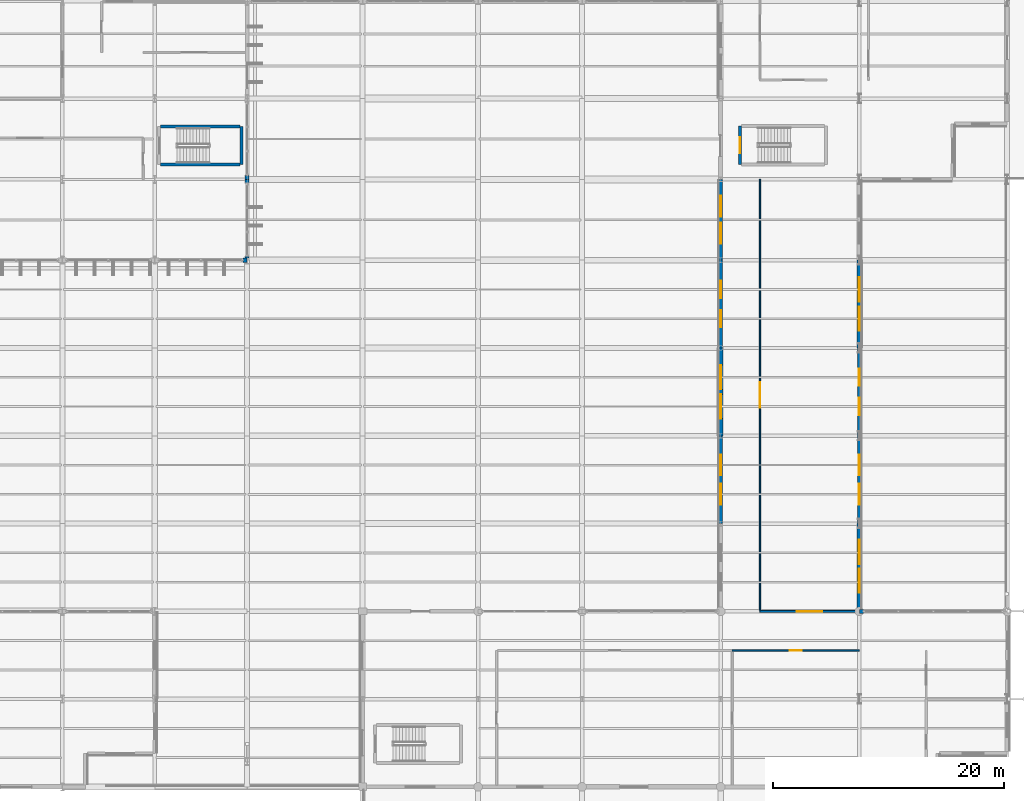
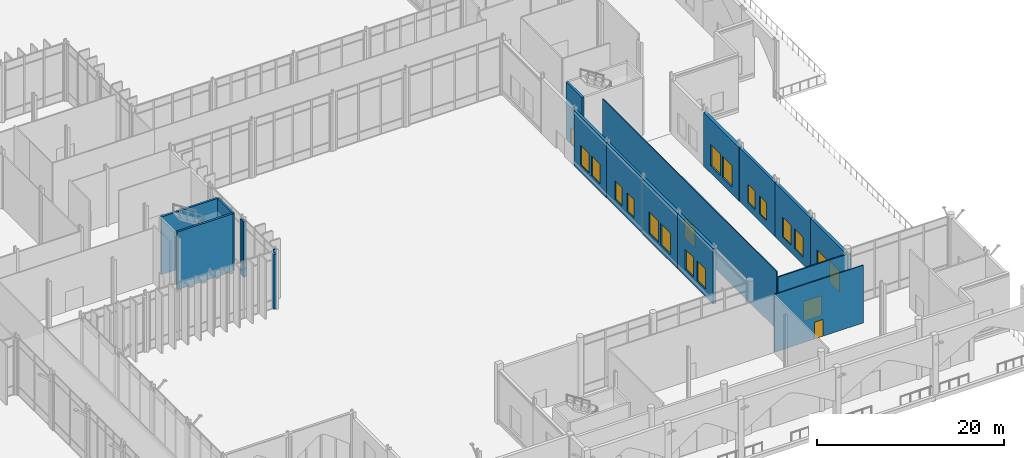
# One storey, part 143 of 176: 20 walls, 16 windows, 4 doors, 20 openings.
"""IFC4 building model written with IfcOpenShell, lengths in metres."""

from ifc_helpers import new_model, si_unit, direction, frame, frame_2d, origin, place, context, subcontext, project, spatial, rectangle, extrude, material, layer, layer_set, type_object, element, fill, save


model = new_model("IFC4")

# Units and contexts
model_context = context("Model", 3, precision=1e-05, world=origin(), true_north=direction((0.0, 1.0)))
body_context = subcontext(model_context, "Body", "Model", "MODEL_VIEW")
ifc_project = project(units=[si_unit("LENGTHUNIT", "METRE"), si_unit("AREAUNIT", "SQUARE_METRE"), si_unit("VOLUMEUNIT", "CUBIC_METRE"), si_unit("PLANEANGLEUNIT", "RADIAN"), si_unit("MASSUNIT", "GRAM", prefix="KILO")], contexts=[model_context])

# Site, building, storey
site_placement = place(None, origin())
site = spatial("IfcSite", under=ifc_project, at=site_placement, CompositionType="ELEMENT")
building_placement = place(site_placement, origin())
building = spatial("IfcBuilding", under=site, at=building_placement, Name="Vekula Escarpment Museum", CompositionType="ELEMENT")
storey_placement = place(building_placement, origin())
storey = spatial("IfcBuildingStorey", under=building, at=storey_placement, Name="L01", CompositionType="ELEMENT", Elevation=0.0)

# Wall, openings, windows
ifc_material_1 = material(Name="Inkisi arkosic sandstone masonry", Category="masonry")
ifc_layer_1 = layer(ifc_material_1, 0.300048828125)
ifc_layer_set_1 = layer_set([ifc_layer_1], Name="Inkisi arkosic sandstone masonry")
wall_type_1 = type_object("IfcWallType", Name="WL-ALM-300", PredefinedType="SOLIDWALL", material=ifc_layer_set_1)
wall_1_placement = place(storey_placement, frame((167.0, 38.0, 0.0), z_axis=(0.0, 0.0, 1.0), x_axis=(0.0, 1.0, 0.0)))
wall_1 = element("IfcWall", 1, at=wall_1_placement, inside=storey, type_object=wall_type_1, Name="Exterior Wall WL-EXT-L01-0095", PredefinedType="SOLIDWALL", context=body_context, shape_type="SweptSolid", body=[
    extrude(rectangle(XDim=7.60009765625, YDim=0.300048828125, at=frame_2d((3.800048828125, 0.0))), origin(), (0.0, 0.0, 1.0), 7.235107421875),
])
opening_1_placement = place(wall_1_placement, frame((1.783203125, 0.0, 0.949951171875)))
opening_1 = element("IfcOpeningElement", 2, at=opening_1_placement, cuts=wall_1, Name="Opening WN-06", PredefinedType="OPENING", context=body_context, shape_type="SweptSolid", body=[
    extrude(rectangle(XDim=1.5, YDim=2.39990234375, at=frame_2d((0.75, 1.199951171875))), frame((0.0, 0.159912109375, 0.0), z_axis=(0.0, -1.0, 0.0), x_axis=(1.0, 0.0, 0.0)), (0.0, 0.0, 1.0), 0.320068359375),
])
opening_2_placement = place(wall_1_placement, frame((4.316650390625, 0.0, 0.949951171875)))
opening_2 = element("IfcOpeningElement", 3, at=opening_2_placement, cuts=wall_1, Name="Opening WN-06", PredefinedType="OPENING", context=body_context, shape_type="SweptSolid", body=[
    extrude(rectangle(XDim=1.5, YDim=2.39990234375, at=frame_2d((0.75, 1.199951171875))), frame((0.0, 0.159912109375, 0.0), z_axis=(0.0, -1.0, 0.0), x_axis=(1.0, 0.0, 0.0)), (0.0, 0.0, 1.0), 0.320068359375),
])
ifc_material_2 = material(Name="Double solar-control low-E glass", Category="glass")
window_type_1 = type_object("IfcWindowType", Name="WN-CUMBA-15x24", PartitioningType="SINGLE_PANEL", PredefinedType="WINDOW", material=ifc_material_2)
window_1_placement = place(opening_1_placement, origin())
window_1 = element("IfcWindow", 4, at=window_1_placement, inside=storey, type_object=window_type_1, Name="Window L01-0007", OverallHeight=2.39990234375, OverallWidth=1.5, PartitioningType="SINGLE_PANEL", PredefinedType="WINDOW", context=body_context, shape_type="SweptSolid", body=[
    extrude(rectangle(XDim=1.5, YDim=2.39990234375, at=frame_2d((0.75, 1.199951171875))), frame((0.0, 0.030029296875, 0.0), z_axis=(0.0, -1.0, 0.0), x_axis=(1.0, 0.0, 0.0)), (0.0, 0.0, 1.0), 0.06005859375),
])
fill(opening_1, window_1)
window_2_placement = place(opening_2_placement, origin())
window_2 = element("IfcWindow", 5, at=window_2_placement, inside=storey, type_object=window_type_1, Name="Window L01-0008", OverallHeight=2.39990234375, OverallWidth=1.5, PartitioningType="SINGLE_PANEL", PredefinedType="WINDOW", context=body_context, shape_type="SweptSolid", body=[
    extrude(rectangle(XDim=1.5, YDim=2.39990234375, at=frame_2d((0.75, 1.199951171875))), frame((0.0, 0.030029296875, 0.0), z_axis=(0.0, -1.0, 0.0), x_axis=(1.0, 0.0, 0.0)), (0.0, 0.0, 1.0), 0.06005859375),
])
fill(opening_2, window_2)

wall_2_placement = place(storey_placement, frame((179.0, 38.0, 0.0), z_axis=(0.0, 0.0, 1.0), x_axis=(0.0, -1.0, 0.0)))
wall_2 = element("IfcWall", 6, at=wall_2_placement, inside=storey, type_object=wall_type_1, Name="Exterior Wall WL-EXT-L01-0119", PredefinedType="SOLIDWALL", context=body_context, shape_type="SweptSolid", body=[
    extrude(rectangle(XDim=7.60009765625, YDim=0.300048828125, at=frame_2d((3.800048828125, 0.0))), origin(), (0.0, 0.0, 1.0), 7.02490234375),
])
opening_3_placement = place(wall_2_placement, frame((1.783203125, 0.0, 0.949951171875)))
opening_3 = element("IfcOpeningElement", 7, at=opening_3_placement, cuts=wall_2, Name="Opening WN-06", PredefinedType="OPENING", context=body_context, shape_type="SweptSolid", body=[
    extrude(rectangle(XDim=1.5, YDim=2.39990234375, at=frame_2d((0.75, 1.199951171875))), frame((0.0, 0.159912109375, 0.0), z_axis=(0.0, -1.0, 0.0), x_axis=(1.0, 0.0, 0.0)), (0.0, 0.0, 1.0), 0.320068359375),
])
opening_4_placement = place(wall_2_placement, frame((4.316650390625, 0.0, 0.949951171875)))
opening_4 = element("IfcOpeningElement", 8, at=opening_4_placement, cuts=wall_2, Name="Opening WN-06", PredefinedType="OPENING", context=body_context, shape_type="SweptSolid", body=[
    extrude(rectangle(XDim=1.5, YDim=2.39990234375, at=frame_2d((0.75, 1.199951171875))), frame((0.0, 0.159912109375, 0.0), z_axis=(0.0, -1.0, 0.0), x_axis=(1.0, 0.0, 0.0)), (0.0, 0.0, 1.0), 0.320068359375),
])
window_3_placement = place(opening_3_placement, origin())
window_3 = element("IfcWindow", 9, at=window_3_placement, inside=storey, type_object=window_type_1, Name="Window L01-0025", OverallHeight=2.39990234375, OverallWidth=1.5, PartitioningType="SINGLE_PANEL", PredefinedType="WINDOW", context=body_context, shape_type="SweptSolid", body=[
    extrude(rectangle(XDim=1.5, YDim=2.39990234375, at=frame_2d((0.75, 1.199951171875))), frame((0.0, 0.030029296875, 0.0), z_axis=(0.0, -1.0, 0.0), x_axis=(1.0, 0.0, 0.0)), (0.0, 0.0, 1.0), 0.06005859375),
])
fill(opening_3, window_3)
window_4_placement = place(opening_4_placement, origin())
window_4 = element("IfcWindow", 10, at=window_4_placement, inside=storey, type_object=window_type_1, Name="Window L01-0026", OverallHeight=2.39990234375, OverallWidth=1.5, PartitioningType="SINGLE_PANEL", PredefinedType="WINDOW", context=body_context, shape_type="SweptSolid", body=[
    extrude(rectangle(XDim=1.5, YDim=2.39990234375, at=frame_2d((0.75, 1.199951171875))), frame((0.0, 0.030029296875, 0.0), z_axis=(0.0, -1.0, 0.0), x_axis=(1.0, 0.0, 0.0)), (0.0, 0.0, 1.0), 0.06005859375),
])
fill(opening_4, window_4)

ifc_material_3 = material(Name="Inkisi arkosic sandstone masonry", Category="masonry")
ifc_layer_2 = layer(ifc_material_3, 0.320068359375)
ifc_layer_set_2 = layer_set([ifc_layer_2], Name="Inkisi arkosic sandstone masonry")
wall_type_2 = type_object("IfcWallType", Name="WL-ALM-320", PredefinedType="SOLIDWALL", material=ifc_layer_set_2)
wall_3_placement = place(storey_placement, frame((167.0, 45.60009765625, 0.0), z_axis=(0.0, 0.0, 1.0), x_axis=(0.0, 1.0, 0.0)))
wall_3 = element("IfcWall", 11, at=wall_3_placement, inside=storey, type_object=wall_type_2, Name="Exterior Wall WL-EXT-L01-0094", PredefinedType="SOLIDWALL", context=body_context, shape_type="SweptSolid", body=[
    extrude(rectangle(XDim=7.0, YDim=0.320068359375, at=frame_2d((3.5, 0.0))), origin(), (0.0, 0.0, 1.0), 7.235107421875),
])
opening_5_placement = place(wall_3_placement, frame((1.433349609375, 0.0, 0.949951171875)))
opening_5 = element("IfcOpeningElement", 12, at=opening_5_placement, cuts=wall_3, Name="Opening WN-07", PredefinedType="OPENING", context=body_context, shape_type="SweptSolid", body=[
    extrude(rectangle(XDim=1.800048828125, YDim=2.60009765625, at=frame_2d((0.89990234375, 1.300048828125))), frame((0.0, 0.169921875, 0.0), z_axis=(0.0, -1.0, 0.0), x_axis=(1.0, 0.0, 0.0)), (0.0, 0.0, 1.0), 0.340087890625),
])
opening_6_placement = place(wall_3_placement, frame((3.7666015625, 0.0, 0.949951171875)))
opening_6 = element("IfcOpeningElement", 13, at=opening_6_placement, cuts=wall_3, Name="Opening WN-07", PredefinedType="OPENING", context=body_context, shape_type="SweptSolid", body=[
    extrude(rectangle(XDim=1.800048828125, YDim=2.60009765625, at=frame_2d((0.89990234375, 1.300048828125))), frame((0.0, 0.169921875, 0.0), z_axis=(0.0, -1.0, 0.0), x_axis=(1.0, 0.0, 0.0)), (0.0, 0.0, 1.0), 0.340087890625),
])
ifc_material_4 = material(Name="Double solar-control low-E glass", Category="glass")
window_type_2 = type_object("IfcWindowType", Name="WN-CUMBA-18x26", PartitioningType="DOUBLE_PANEL_VERTICAL", PredefinedType="WINDOW", material=ifc_material_4)
window_5_placement = place(opening_5_placement, origin())
window_5 = element("IfcWindow", 14, at=window_5_placement, inside=storey, type_object=window_type_2, Name="Window L01-0005", OverallHeight=2.60009765625, OverallWidth=1.800048828125, PartitioningType="SINGLE_PANEL", PredefinedType="WINDOW", context=body_context, shape_type="SweptSolid", body=[
    extrude(rectangle(XDim=1.800048828125, YDim=2.60009765625, at=frame_2d((0.89990234375, 1.300048828125))), frame((0.0, 0.030029296875, 0.0), z_axis=(0.0, -1.0, 0.0), x_axis=(1.0, 0.0, 0.0)), (0.0, 0.0, 1.0), 0.06005859375),
])
fill(opening_5, window_5)
window_6_placement = place(opening_6_placement, origin())
window_6 = element("IfcWindow", 15, at=window_6_placement, inside=storey, type_object=window_type_2, Name="Window L01-0006", OverallHeight=2.60009765625, OverallWidth=1.800048828125, PartitioningType="SINGLE_PANEL", PredefinedType="WINDOW", context=body_context, shape_type="SweptSolid", body=[
    extrude(rectangle(XDim=1.800048828125, YDim=2.60009765625, at=frame_2d((0.89990234375, 1.300048828125))), frame((0.0, 0.030029296875, 0.0), z_axis=(0.0, -1.0, 0.0), x_axis=(1.0, 0.0, 0.0)), (0.0, 0.0, 1.0), 0.06005859375),
])
fill(opening_6, window_6)

wall_4_placement = place(storey_placement, frame((179.0, 30.39990234375, 0.0), z_axis=(0.0, 0.0, 1.0), x_axis=(0.0, -1.0, 0.0)))
wall_4 = element("IfcWall", 16, at=wall_4_placement, inside=storey, type_object=wall_type_2, Name="Exterior Wall WL-EXT-L01-0118", PredefinedType="SOLIDWALL", context=body_context, shape_type="SweptSolid", body=[
    extrude(rectangle(XDim=7.599853515625, YDim=0.320068359375, at=frame_2d((3.7998046875, 0.0))), origin(), (0.0, 0.0, 1.0), 7.02490234375),
])
opening_7_placement = place(wall_4_placement, frame((1.63330078125, 0.0, 0.949951171875)))
opening_7 = element("IfcOpeningElement", 17, at=opening_7_placement, cuts=wall_4, Name="Opening WN-07", PredefinedType="OPENING", context=body_context, shape_type="SweptSolid", body=[
    extrude(rectangle(XDim=1.800048828125, YDim=2.60009765625, at=frame_2d((0.89990234375, 1.300048828125))), frame((0.0, 0.169921875, 0.0), z_axis=(0.0, -1.0, 0.0), x_axis=(1.0, 0.0, 0.0)), (0.0, 0.0, 1.0), 0.340087890625),
])
opening_8_placement = place(wall_4_placement, frame((4.166748046875, 0.0, 0.949951171875)))
opening_8 = element("IfcOpeningElement", 18, at=opening_8_placement, cuts=wall_4, Name="Opening WN-07", PredefinedType="OPENING", context=body_context, shape_type="SweptSolid", body=[
    extrude(rectangle(XDim=1.800048828125, YDim=2.60009765625, at=frame_2d((0.89990234375, 1.300048828125))), frame((0.0, 0.169921875, 0.0), z_axis=(0.0, -1.0, 0.0), x_axis=(1.0, 0.0, 0.0)), (0.0, 0.0, 1.0), 0.340087890625),
])
window_7_placement = place(opening_7_placement, origin())
window_7 = element("IfcWindow", 19, at=window_7_placement, inside=storey, type_object=window_type_2, Name="Window L01-0023", OverallHeight=2.60009765625, OverallWidth=1.800048828125, PartitioningType="SINGLE_PANEL", PredefinedType="WINDOW", context=body_context, shape_type="SweptSolid", body=[
    extrude(rectangle(XDim=1.800048828125, YDim=2.60009765625, at=frame_2d((0.89990234375, 1.300048828125))), frame((0.0, 0.030029296875, 0.0), z_axis=(0.0, -1.0, 0.0), x_axis=(1.0, 0.0, 0.0)), (0.0, 0.0, 1.0), 0.06005859375),
])
fill(opening_7, window_7)
window_8_placement = place(opening_8_placement, origin())
window_8 = element("IfcWindow", 20, at=window_8_placement, inside=storey, type_object=window_type_2, Name="Window L01-0024", OverallHeight=2.60009765625, OverallWidth=1.800048828125, PartitioningType="SINGLE_PANEL", PredefinedType="WINDOW", context=body_context, shape_type="SweptSolid", body=[
    extrude(rectangle(XDim=1.800048828125, YDim=2.60009765625, at=frame_2d((0.89990234375, 1.300048828125))), frame((0.0, 0.030029296875, 0.0), z_axis=(0.0, -1.0, 0.0), x_axis=(1.0, 0.0, 0.0)), (0.0, 0.0, 1.0), 0.06005859375),
])
fill(opening_8, window_8)

# Walls
ifc_material_5 = material(Name="Inkisi arkosic sandstone masonry", Category="masonry")
ifc_layer_3 = layer(ifc_material_5, 0.35009765625)
ifc_layer_set_3 = layer_set([ifc_layer_3], Name="Inkisi arkosic sandstone masonry")
wall_type_3 = type_object("IfcWallType", Name="WL-ALM-350", PredefinedType="SOLIDWALL", material=ifc_layer_set_3)
wall_5_placement = place(storey_placement, frame((125.639892578125, 45.60009765625, 0.0), z_axis=(0.0, 0.0, 1.0), x_axis=(1.0, 0.0, 0.0)))
element("IfcWall", 21, at=wall_5_placement, inside=storey, type_object=wall_type_3, Name="Facade Jamb Pier L01-0078B", PredefinedType="SOLIDWALL", context=body_context, shape_type="SweptSolid", body=[
    extrude(rectangle(XDim=0.360107421875, YDim=0.35009765625, at=frame_2d((0.18017578125, 0.0))), origin(), (0.0, 0.0, 1.0), 7.135009765625),
])
wall_6_placement = place(storey_placement, frame((126.0, 45.779052734375, 0.0), z_axis=(0.0, 0.0, 1.0), x_axis=(0.0, 1.0, 0.0)))
element("IfcWall", 22, at=wall_6_placement, inside=storey, type_object=wall_type_3, Name="Facade Jamb Pier L01-0079A", PredefinedType="SOLIDWALL", context=body_context, shape_type="SweptSolid", body=[
    extrude(rectangle(XDim=0.180908203125, YDim=0.35009765625, at=frame_2d((0.09033203125, 0.0))), origin(), (0.0, 0.0, 1.0), 7.5400390625),
])
wall_7_placement = place(storey_placement, frame((126.0, 52.239990234375, 0.0), z_axis=(0.0, 0.0, 1.0), x_axis=(0.0, 1.0, 0.0)))
element("IfcWall", 23, at=wall_7_placement, inside=storey, type_object=wall_type_3, Name="Facade Jamb Pier L01-0080B", PredefinedType="SOLIDWALL", context=body_context, shape_type="SweptSolid", body=[
    extrude(rectangle(XDim=0.360107421875, YDim=0.35009765625, at=frame_2d((0.18017578125, 0.0))), origin(), (0.0, 0.0, 1.0), 7.235107421875),
])
wall_8_placement = place(storey_placement, frame((126.0, 52.60009765625, 0.0), z_axis=(0.0, 0.0, 1.0), x_axis=(0.0, 1.0, 0.0)))
element("IfcWall", 24, at=wall_8_placement, inside=storey, type_object=wall_type_3, Name="Facade Jamb Pier L01-0081A", PredefinedType="SOLIDWALL", context=body_context, shape_type="SweptSolid", body=[
    extrude(rectangle(XDim=0.35986328125, YDim=0.35009765625, at=frame_2d((0.179931640625, 0.0))), origin(), (0.0, 0.0, 1.0), 7.235107421875),
])

# Wall, openings, windows
wall_9_placement = place(storey_placement, frame((167.0, 22.800048828125, 0.0), z_axis=(0.0, 0.0, 1.0), x_axis=(0.0, 1.0, 0.0)))
wall_9 = element("IfcWall", 25, at=wall_9_placement, inside=storey, type_object=wall_type_3, Name="Exterior Wall WL-EXT-L01-0097", PredefinedType="SOLIDWALL", context=body_context, shape_type="SweptSolid", body=[
    extrude(rectangle(XDim=7.599853515625, YDim=0.35009765625, at=frame_2d((3.7998046875, 0.0))), origin(), (0.0, 0.0, 1.0), 7.235107421875),
])
opening_9_placement = place(wall_9_placement, frame((1.63330078125, 0.0, 0.949951171875)))
opening_9 = element("IfcOpeningElement", 26, at=opening_9_placement, cuts=wall_9, Name="Opening WN-07", PredefinedType="OPENING", context=body_context, shape_type="SweptSolid", body=[
    extrude(rectangle(XDim=1.800048828125, YDim=2.60009765625, at=frame_2d((0.89990234375, 1.300048828125))), frame((0.0, 0.18505859375, 0.0), z_axis=(0.0, -1.0, 0.0), x_axis=(1.0, 0.0, 0.0)), (0.0, 0.0, 1.0), 0.3701171875),
])
opening_10_placement = place(wall_9_placement, frame((4.166748046875, 0.0, 0.949951171875)))
opening_10 = element("IfcOpeningElement", 27, at=opening_10_placement, cuts=wall_9, Name="Opening WN-07", PredefinedType="OPENING", context=body_context, shape_type="SweptSolid", body=[
    extrude(rectangle(XDim=1.800048828125, YDim=2.60009765625, at=frame_2d((0.89990234375, 1.300048828125))), frame((0.0, 0.18505859375, 0.0), z_axis=(0.0, -1.0, 0.0), x_axis=(1.0, 0.0, 0.0)), (0.0, 0.0, 1.0), 0.3701171875),
])
window_9_placement = place(opening_9_placement, origin())
window_9 = element("IfcWindow", 28, at=window_9_placement, inside=storey, type_object=window_type_2, Name="Window L01-0011", OverallHeight=2.60009765625, OverallWidth=1.800048828125, PartitioningType="SINGLE_PANEL", PredefinedType="WINDOW", context=body_context, shape_type="SweptSolid", body=[
    extrude(rectangle(XDim=1.800048828125, YDim=2.60009765625, at=frame_2d((0.89990234375, 1.300048828125))), frame((0.0, 0.030029296875, 0.0), z_axis=(0.0, -1.0, 0.0), x_axis=(1.0, 0.0, 0.0)), (0.0, 0.0, 1.0), 0.06005859375),
])
fill(opening_9, window_9)
window_10_placement = place(opening_10_placement, origin())
window_10 = element("IfcWindow", 29, at=window_10_placement, inside=storey, type_object=window_type_2, Name="Window L01-0012", OverallHeight=2.60009765625, OverallWidth=1.800048828125, PartitioningType="SINGLE_PANEL", PredefinedType="WINDOW", context=body_context, shape_type="SweptSolid", body=[
    extrude(rectangle(XDim=1.800048828125, YDim=2.60009765625, at=frame_2d((0.89990234375, 1.300048828125))), frame((0.0, 0.030029296875, 0.0), z_axis=(0.0, -1.0, 0.0), x_axis=(1.0, 0.0, 0.0)), (0.0, 0.0, 1.0), 0.06005859375),
])
fill(opening_10, window_10)

# Wall
wall_10_placement = place(storey_placement, frame((179.360107421875, 15.199951171875, 0.0), z_axis=(0.0, 0.0, 1.0), x_axis=(-1.0, 0.0, 0.0)))
element("IfcWall", 30, at=wall_10_placement, inside=storey, type_object=wall_type_3, Name="Facade Jamb Pier L01-0116B", PredefinedType="SOLIDWALL", context=body_context, shape_type="SweptSolid", body=[
    extrude(rectangle(XDim=0.360107421875, YDim=0.35009765625, at=frame_2d((0.18017578125, 0.0))), origin(), (0.0, 0.0, 1.0), 6.925048828125),
])

# Wall, openings, windows
wall_11_placement = place(storey_placement, frame((179.0, 22.800048828125, 0.0), z_axis=(0.0, 0.0, 1.0), x_axis=(0.0, -1.0, 0.0)))
wall_11 = element("IfcWall", 31, at=wall_11_placement, inside=storey, type_object=wall_type_3, Name="Exterior Wall WL-EXT-L01-0117", PredefinedType="SOLIDWALL", context=body_context, shape_type="SweptSolid", body=[
    extrude(rectangle(XDim=7.421142578125, YDim=0.35009765625, at=frame_2d((3.71044921875, 0.0))), origin(), (0.0, 0.0, 1.0), 7.02490234375),
])
opening_11_placement = place(wall_11_placement, frame((1.423583984375, 0.0, 0.949951171875)))
opening_11 = element("IfcOpeningElement", 32, at=opening_11_placement, cuts=wall_11, Name="Opening WN-08", PredefinedType="OPENING", context=body_context, shape_type="SweptSolid", body=[
    extrude(rectangle(XDim=2.10009765625, YDim=2.800048828125, at=frame_2d((1.050048828125, 1.39990234375))), frame((0.0, 0.18505859375, 0.0), z_axis=(0.0, -1.0, 0.0), x_axis=(1.0, 0.0, 0.0)), (0.0, 0.0, 1.0), 0.3701171875),
])
opening_12_placement = place(wall_11_placement, frame((3.897216796875, 0.0, 0.949951171875)))
opening_12 = element("IfcOpeningElement", 33, at=opening_12_placement, cuts=wall_11, Name="Opening WN-08", PredefinedType="OPENING", context=body_context, shape_type="SweptSolid", body=[
    extrude(rectangle(XDim=2.10009765625, YDim=2.800048828125, at=frame_2d((1.050048828125, 1.39990234375))), frame((0.0, 0.18505859375, 0.0), z_axis=(0.0, -1.0, 0.0), x_axis=(1.0, 0.0, 0.0)), (0.0, 0.0, 1.0), 0.3701171875),
])
ifc_material_6 = material(Name="Double solar-control low-E glass", Category="glass")
window_type_3 = type_object("IfcWindowType", Name="WN-CUMBA-21x28", PartitioningType="DOUBLE_PANEL_VERTICAL", PredefinedType="WINDOW", material=ifc_material_6)
window_11_placement = place(opening_11_placement, origin())
window_11 = element("IfcWindow", 34, at=window_11_placement, inside=storey, type_object=window_type_3, Name="Window L01-0021", OverallHeight=2.800048828125, OverallWidth=2.10009765625, PartitioningType="SINGLE_PANEL", PredefinedType="WINDOW", context=body_context, shape_type="SweptSolid", body=[
    extrude(rectangle(XDim=2.10009765625, YDim=2.800048828125, at=frame_2d((1.050048828125, 1.39990234375))), frame((0.0, 0.030029296875, 0.0), z_axis=(0.0, -1.0, 0.0), x_axis=(1.0, 0.0, 0.0)), (0.0, 0.0, 1.0), 0.06005859375),
])
fill(opening_11, window_11)
window_12_placement = place(opening_12_placement, origin())
window_12 = element("IfcWindow", 35, at=window_12_placement, inside=storey, type_object=window_type_3, Name="Window L01-0022", OverallHeight=2.800048828125, OverallWidth=2.10009765625, PartitioningType="SINGLE_PANEL", PredefinedType="WINDOW", context=body_context, shape_type="SweptSolid", body=[
    extrude(rectangle(XDim=2.10009765625, YDim=2.800048828125, at=frame_2d((1.050048828125, 1.39990234375))), frame((0.0, 0.030029296875, 0.0), z_axis=(0.0, -1.0, 0.0), x_axis=(1.0, 0.0, 0.0)), (0.0, 0.0, 1.0), 0.06005859375),
])
fill(opening_12, window_12)

ifc_material_7 = material(Name="Inkisi arkosic sandstone masonry", Category="masonry")
ifc_layer_4 = layer(ifc_material_7, 0.3798828125)
ifc_layer_set_4 = layer_set([ifc_layer_4], Name="Inkisi arkosic sandstone masonry")
wall_type_4 = type_object("IfcWallType", Name="WL-ALM-380", PredefinedType="SOLIDWALL", material=ifc_layer_set_4)
wall_12_placement = place(storey_placement, frame((167.0, 30.39990234375, 0.0), z_axis=(0.0, 0.0, 1.0), x_axis=(0.0, 1.0, 0.0)))
wall_12 = element("IfcWall", 36, at=wall_12_placement, inside=storey, type_object=wall_type_4, Name="Exterior Wall WL-EXT-L01-0096", PredefinedType="SOLIDWALL", context=body_context, shape_type="SweptSolid", body=[
    extrude(rectangle(XDim=7.60009765625, YDim=0.3798828125, at=frame_2d((3.800048828125, 0.0))), origin(), (0.0, 0.0, 1.0), 7.235107421875),
])
opening_13_placement = place(wall_12_placement, frame((1.4833984375, 0.0, 0.949951171875)))
opening_13 = element("IfcOpeningElement", 37, at=opening_13_placement, cuts=wall_12, Name="Opening WN-08", PredefinedType="OPENING", context=body_context, shape_type="SweptSolid", body=[
    extrude(rectangle(XDim=2.10009765625, YDim=2.800048828125, at=frame_2d((1.050048828125, 1.39990234375))), frame((0.0, 0.199951171875, 0.0), z_axis=(0.0, -1.0, 0.0), x_axis=(1.0, 0.0, 0.0)), (0.0, 0.0, 1.0), 0.39990234375),
])
opening_14_placement = place(wall_12_placement, frame((4.0166015625, 0.0, 0.949951171875)))
opening_14 = element("IfcOpeningElement", 38, at=opening_14_placement, cuts=wall_12, Name="Opening WN-08", PredefinedType="OPENING", context=body_context, shape_type="SweptSolid", body=[
    extrude(rectangle(XDim=2.10009765625, YDim=2.800048828125, at=frame_2d((1.050048828125, 1.39990234375))), frame((0.0, 0.199951171875, 0.0), z_axis=(0.0, -1.0, 0.0), x_axis=(1.0, 0.0, 0.0)), (0.0, 0.0, 1.0), 0.39990234375),
])
window_13_placement = place(opening_13_placement, origin())
window_13 = element("IfcWindow", 39, at=window_13_placement, inside=storey, type_object=window_type_3, Name="Window L01-0009", OverallHeight=2.800048828125, OverallWidth=2.10009765625, PartitioningType="SINGLE_PANEL", PredefinedType="WINDOW", context=body_context, shape_type="SweptSolid", body=[
    extrude(rectangle(XDim=2.10009765625, YDim=2.800048828125, at=frame_2d((1.050048828125, 1.39990234375))), frame((0.0, 0.030029296875, 0.0), z_axis=(0.0, -1.0, 0.0), x_axis=(1.0, 0.0, 0.0)), (0.0, 0.0, 1.0), 0.06005859375),
])
fill(opening_13, window_13)
window_14_placement = place(opening_14_placement, origin())
window_14 = element("IfcWindow", 40, at=window_14_placement, inside=storey, type_object=window_type_3, Name="Window L01-0010", OverallHeight=2.800048828125, OverallWidth=2.10009765625, PartitioningType="SINGLE_PANEL", PredefinedType="WINDOW", context=body_context, shape_type="SweptSolid", body=[
    extrude(rectangle(XDim=2.10009765625, YDim=2.800048828125, at=frame_2d((1.050048828125, 1.39990234375))), frame((0.0, 0.030029296875, 0.0), z_axis=(0.0, -1.0, 0.0), x_axis=(1.0, 0.0, 0.0)), (0.0, 0.0, 1.0), 0.06005859375),
])
fill(opening_14, window_14)

wall_13_placement = place(storey_placement, frame((179.0, 45.60009765625, 0.0), z_axis=(0.0, 0.0, 1.0), x_axis=(0.0, -1.0, 0.0)))
wall_13 = element("IfcWall", 41, at=wall_13_placement, inside=storey, type_object=wall_type_4, Name="Exterior Wall WL-EXT-L01-0120", PredefinedType="SOLIDWALL", context=body_context, shape_type="SweptSolid", body=[
    extrude(rectangle(XDim=7.60009765625, YDim=0.3798828125, at=frame_2d((3.800048828125, 0.0))), origin(), (0.0, 0.0, 1.0), 7.02490234375),
])
opening_15_placement = place(wall_13_placement, frame((1.4833984375, 0.0, 0.949951171875)))
opening_15 = element("IfcOpeningElement", 42, at=opening_15_placement, cuts=wall_13, Name="Opening WN-08", PredefinedType="OPENING", context=body_context, shape_type="SweptSolid", body=[
    extrude(rectangle(XDim=2.10009765625, YDim=2.800048828125, at=frame_2d((1.050048828125, 1.39990234375))), frame((0.0, 0.199951171875, 0.0), z_axis=(0.0, -1.0, 0.0), x_axis=(1.0, 0.0, 0.0)), (0.0, 0.0, 1.0), 0.39990234375),
])
opening_16_placement = place(wall_13_placement, frame((4.0166015625, 0.0, 0.949951171875)))
opening_16 = element("IfcOpeningElement", 43, at=opening_16_placement, cuts=wall_13, Name="Opening WN-08", PredefinedType="OPENING", context=body_context, shape_type="SweptSolid", body=[
    extrude(rectangle(XDim=2.10009765625, YDim=2.800048828125, at=frame_2d((1.050048828125, 1.39990234375))), frame((0.0, 0.199951171875, 0.0), z_axis=(0.0, -1.0, 0.0), x_axis=(1.0, 0.0, 0.0)), (0.0, 0.0, 1.0), 0.39990234375),
])
window_15_placement = place(opening_15_placement, origin())
window_15 = element("IfcWindow", 44, at=window_15_placement, inside=storey, type_object=window_type_3, Name="Window L01-0027", OverallHeight=2.800048828125, OverallWidth=2.10009765625, PartitioningType="SINGLE_PANEL", PredefinedType="WINDOW", context=body_context, shape_type="SweptSolid", body=[
    extrude(rectangle(XDim=2.10009765625, YDim=2.800048828125, at=frame_2d((1.050048828125, 1.39990234375))), frame((0.0, 0.030029296875, 0.0), z_axis=(0.0, -1.0, 0.0), x_axis=(1.0, 0.0, 0.0)), (0.0, 0.0, 1.0), 0.06005859375),
])
fill(opening_15, window_15)
window_16_placement = place(opening_16_placement, origin())
window_16 = element("IfcWindow", 45, at=window_16_placement, inside=storey, type_object=window_type_3, Name="Window L01-0028", OverallHeight=2.800048828125, OverallWidth=2.10009765625, PartitioningType="SINGLE_PANEL", PredefinedType="WINDOW", context=body_context, shape_type="SweptSolid", body=[
    extrude(rectangle(XDim=2.10009765625, YDim=2.800048828125, at=frame_2d((1.050048828125, 1.39990234375))), frame((0.0, 0.030029296875, 0.0), z_axis=(0.0, -1.0, 0.0), x_axis=(1.0, 0.0, 0.0)), (0.0, 0.0, 1.0), 0.06005859375),
])
fill(opening_16, window_16)

# Wall, opening, door
ifc_material_8 = material(Name="Concrete C35/45", Category="concrete")
ifc_layer_5 = layer(ifc_material_8, 0.25)
ifc_layer_set_5 = layer_set([ifc_layer_5], Name="Concrete C35/45")
wall_type_5 = type_object("IfcWallType", Name="WL-CORE-250", PredefinedType="SHEAR", material=ifc_layer_set_5)
wall_14_placement = place(storey_placement, frame((168.675048828125, 53.875, 0.0), z_axis=(0.0, 0.0, 1.0), x_axis=(0.0, 1.0, 0.0)))
wall_14 = element("IfcWall", 46, at=wall_14_placement, inside=storey, type_object=wall_type_5, Name="Stair Core Wall ST-02 L01 W", PredefinedType="SHEAR", context=body_context, shape_type="SweptSolid", body=[
    extrude(rectangle(XDim=3.35009765625, YDim=0.25, at=frame_2d((1.675048828125, 0.0))), origin(), (0.0, 0.0, 1.0), 7.5400390625),
])
opening_17_placement = place(wall_14_placement, frame((0.97509765625, 0.0, 0.0)))
opening_17 = element("IfcOpeningElement", 47, at=opening_17_placement, cuts=wall_14, Name="Opening DR-FD60", PredefinedType="OPENING", context=body_context, shape_type="SweptSolid", body=[
    extrude(rectangle(XDim=1.39990234375, YDim=2.199951171875, at=frame_2d((0.699951171875, 1.10009765625))), frame((0.0, 0.135009765625, 0.0), z_axis=(0.0, -1.0, 0.0), x_axis=(1.0, 0.0, 0.0)), (0.0, 0.0, 1.0), 0.27001953125),
])
ifc_material_9 = material(Name="Fire-rated steel stair door", Category="steel")
door_type_1 = type_object("IfcDoorType", Name="DR-STAIR-1400x2200", OperationType="NOTDEFINED", PredefinedType="DOOR", material=ifc_material_9)
door_1_placement = place(opening_17_placement, origin())
door_1 = element("IfcDoor", 48, at=door_1_placement, inside=storey, type_object=door_type_1, Name="Protected Exit Stair Door ST-02 L01", OperationType="SINGLE_SWING_RIGHT", OverallHeight=2.199951171875, OverallWidth=1.39990234375, PredefinedType="DOOR", context=body_context, shape_type="SweptSolid", body=[
    extrude(rectangle(XDim=1.39990234375, YDim=2.199951171875, at=frame_2d((0.699951171875, 1.10009765625))), frame((0.0, 0.02490234375, 0.0), z_axis=(0.0, -1.0, 0.0), x_axis=(1.0, 0.0, 0.0)), (0.0, 0.0, 1.0), 0.050048828125),
])
fill(opening_17, door_1)

# Walls
wall_15_placement = place(storey_placement, frame((125.52490234375, 53.875, 0.0), z_axis=(0.0, 0.0, 1.0), x_axis=(0.0, 1.0, 0.0)))
element("IfcWall", 49, at=wall_15_placement, inside=storey, type_object=wall_type_5, Name="Stair Core Wall ST-08 L01 E", PredefinedType="SHEAR", context=body_context, shape_type="SweptSolid", body=[
    extrude(rectangle(XDim=3.2900390625, YDim=0.25, at=frame_2d((1.64501953125, 0.0))), origin(), (0.0, 0.0, 1.0), 7.5400390625),
])
for number, where, z_axis, x_axis, name in (
    (50, (118.50390625, 53.875, 0.0), (0.0, 0.0, 1.0), (1.0, 0.0, 0.0), "Stair Core Wall ST-08 L01 S"),
    (51, (118.50390625, 57.1650390625, 0.0), (0.0, 0.0, 1.0), (1.0, 0.0, 0.0), "Stair Core Wall ST-08 L01 N"),
):
    element("IfcWall", number, at=place(storey_placement, frame(where, z_axis=z_axis, x_axis=x_axis)), inside=storey, type_object=wall_type_5, Name=name, PredefinedType="SHEAR", context=body_context, shape_type="SweptSolid", body=[
        extrude(rectangle(XDim=6.89208984375, YDim=0.25, at=frame_2d((3.446044921875, 0.0))), origin(), (0.0, 0.0, 1.0), 7.5400390625),
    ])

# Wall, opening, door
ifc_material_10 = material(Name="Lightweight studio partition", Category="gypsum")
ifc_layer_6 = layer(ifc_material_10, 0.1201171875)
ifc_layer_set_6 = layer_set([ifc_layer_6], Name="Lightweight studio partition")
wall_type_6 = type_object("IfcWallType", Name="WL-PART-120", PredefinedType="PARTITIONING", material=ifc_layer_set_6)
wall_16_placement = place(storey_placement, frame((168.0, 11.800048828125, 0.0), z_axis=(0.0, 0.0, 1.0), x_axis=(1.0, 0.0, 0.0)))
wall_16 = element("IfcWall", 52, at=wall_16_placement, inside=storey, type_object=wall_type_6, Name="Interior Partition WL-INT-L01-0087", PredefinedType="PARTITIONING", context=body_context, shape_type="SweptSolid", body=[
    extrude(rectangle(XDim=11.0, YDim=0.1201171875, at=frame_2d((5.5, 0.0))), origin(), (0.0, 0.0, 1.0), 7.5400390625),
])
opening_18_placement = place(wall_16_placement, frame((4.97509765625, 0.0, 0.0)))
opening_18 = element("IfcOpeningElement", 53, at=opening_18_placement, cuts=wall_16, Name="Opening DR-CR10", PredefinedType="OPENING", context=body_context, shape_type="SweptSolid", body=[
    extrude(rectangle(XDim=1.050048828125, YDim=2.199951171875, at=frame_2d((0.52490234375, 1.10009765625))), frame((0.0, 0.070068359375, 0.0), z_axis=(0.0, -1.0, 0.0), x_axis=(1.0, 0.0, 0.0)), (0.0, 0.0, 1.0), 0.14013671875),
])
ifc_material_11 = material(Name="Solid hardwood curatorial door", Category="wood")
door_type_2 = type_object("IfcDoorType", Name="DR-CUR-1050x2200", OperationType="NOTDEFINED", PredefinedType="DOOR", material=ifc_material_11)
door_2_placement = place(opening_18_placement, origin())
door_2 = element("IfcDoor", 54, at=door_2_placement, inside=storey, type_object=door_type_2, Name="Interior Door L01-078", OperationType="SINGLE_SWING_LEFT", OverallHeight=2.199951171875, OverallWidth=1.050048828125, PredefinedType="DOOR", context=body_context, shape_type="SweptSolid", body=[
    extrude(rectangle(XDim=1.050048828125, YDim=2.199951171875, at=frame_2d((0.52490234375, 1.10009765625))), frame((0.0, 0.02490234375, 0.0), z_axis=(0.0, -1.0, 0.0), x_axis=(1.0, 0.0, 0.0)), (0.0, 0.0, 1.0), 0.050048828125),
])
fill(opening_18, door_2)

wall_17_placement = place(storey_placement, frame((170.39990234375, 15.283935546875, 0.0), z_axis=(0.0, 0.0, 1.0), x_axis=(0.0, 1.0, 0.0)))
wall_17 = element("IfcWall", 55, at=wall_17_placement, inside=storey, type_object=wall_type_6, Name="Interior Partition WL-INT-L01-0093", PredefinedType="PARTITIONING", context=body_context, shape_type="SweptSolid", body=[
    extrude(rectangle(XDim=37.316162109375, YDim=0.1201171875, at=frame_2d((18.658203125, 0.0))), origin(), (0.0, 0.0, 1.0), 7.5400390625),
])
opening_19_placement = place(wall_17_placement, frame((17.55810546875, 0.0, 0.0)))
opening_19 = element("IfcOpeningElement", 56, at=opening_19_placement, cuts=wall_17, Name="Opening DR-GL22", PredefinedType="OPENING", context=body_context, shape_type="SweptSolid", body=[
    extrude(rectangle(XDim=2.199951171875, YDim=2.60009765625, at=frame_2d((1.10009765625, 1.300048828125))), frame((0.0, 0.070068359375, 0.0), z_axis=(0.0, -1.0, 0.0), x_axis=(1.0, 0.0, 0.0)), (0.0, 0.0, 1.0), 0.14013671875),
])
ifc_material_12 = material(Name="Double acoustic timber gallery door", Category="wood")
door_type_3 = type_object("IfcDoorType", Name="DR-GAL-2200x2600", OperationType="NOTDEFINED", PredefinedType="DOOR", material=ifc_material_12)
door_3_placement = place(opening_19_placement, origin())
door_3 = element("IfcDoor", 57, at=door_3_placement, inside=storey, type_object=door_type_3, Name="Interior Door L01-083", OperationType="SINGLE_SWING_RIGHT", OverallHeight=2.60009765625, OverallWidth=2.199951171875, PredefinedType="DOOR", context=body_context, shape_type="SweptSolid", body=[
    extrude(rectangle(XDim=2.199951171875, YDim=2.60009765625, at=frame_2d((1.10009765625, 1.300048828125))), frame((0.0, 0.02490234375, 0.0), z_axis=(0.0, -1.0, 0.0), x_axis=(1.0, 0.0, 0.0)), (0.0, 0.0, 1.0), 0.050048828125),
])
fill(opening_19, door_3)

ifc_material_13 = material(Name="Gypsum board gallery partition", Category="gypsum")
ifc_layer_7 = layer(ifc_material_13, 0.159912109375)
ifc_layer_set_7 = layer_set([ifc_layer_7], Name="Gypsum board gallery partition")
wall_type_7 = type_object("IfcWallType", Name="WL-PART-160", PredefinedType="PARTITIONING", material=ifc_layer_set_7)
wall_18_placement = place(storey_placement, frame((170.39990234375, 15.199951171875, 0.0), z_axis=(0.0, 0.0, 1.0), x_axis=(1.0, 0.0, 0.0)))
wall_18 = element("IfcWall", 58, at=wall_18_placement, inside=storey, type_object=wall_type_7, Name="Interior Partition WL-INT-L01-0088", PredefinedType="PARTITIONING", context=body_context, shape_type="SweptSolid", body=[
    extrude(rectangle(XDim=8.60009765625, YDim=0.159912109375, at=frame_2d((4.300048828125, 0.0))), origin(), (0.0, 0.0, 1.0), 6.925048828125),
])
opening_20_placement = place(wall_18_placement, frame((3.199951171875, 0.0, 0.0)))
opening_20 = element("IfcOpeningElement", 59, at=opening_20_placement, cuts=wall_18, Name="Opening DR-GL22", PredefinedType="OPENING", context=body_context, shape_type="SweptSolid", body=[
    extrude(rectangle(XDim=2.199951171875, YDim=2.60009765625, at=frame_2d((1.10009765625, 1.300048828125))), frame((0.0, 0.08984375, 0.0), z_axis=(0.0, -1.0, 0.0), x_axis=(1.0, 0.0, 0.0)), (0.0, 0.0, 1.0), 0.179931640625),
])
door_4_placement = place(opening_20_placement, origin())
door_4 = element("IfcDoor", 60, at=door_4_placement, inside=storey, type_object=door_type_3, Name="Interior Door L01-079", OperationType="SINGLE_SWING_RIGHT", OverallHeight=2.60009765625, OverallWidth=2.199951171875, PredefinedType="DOOR", context=body_context, shape_type="SweptSolid", body=[
    extrude(rectangle(XDim=2.199951171875, YDim=2.60009765625, at=frame_2d((1.10009765625, 1.300048828125))), frame((0.0, 0.02490234375, 0.0), z_axis=(0.0, -1.0, 0.0), x_axis=(1.0, 0.0, 0.0)), (0.0, 0.0, 1.0), 0.050048828125),
])
fill(opening_20, door_4)

save(model, "model.ifc")
